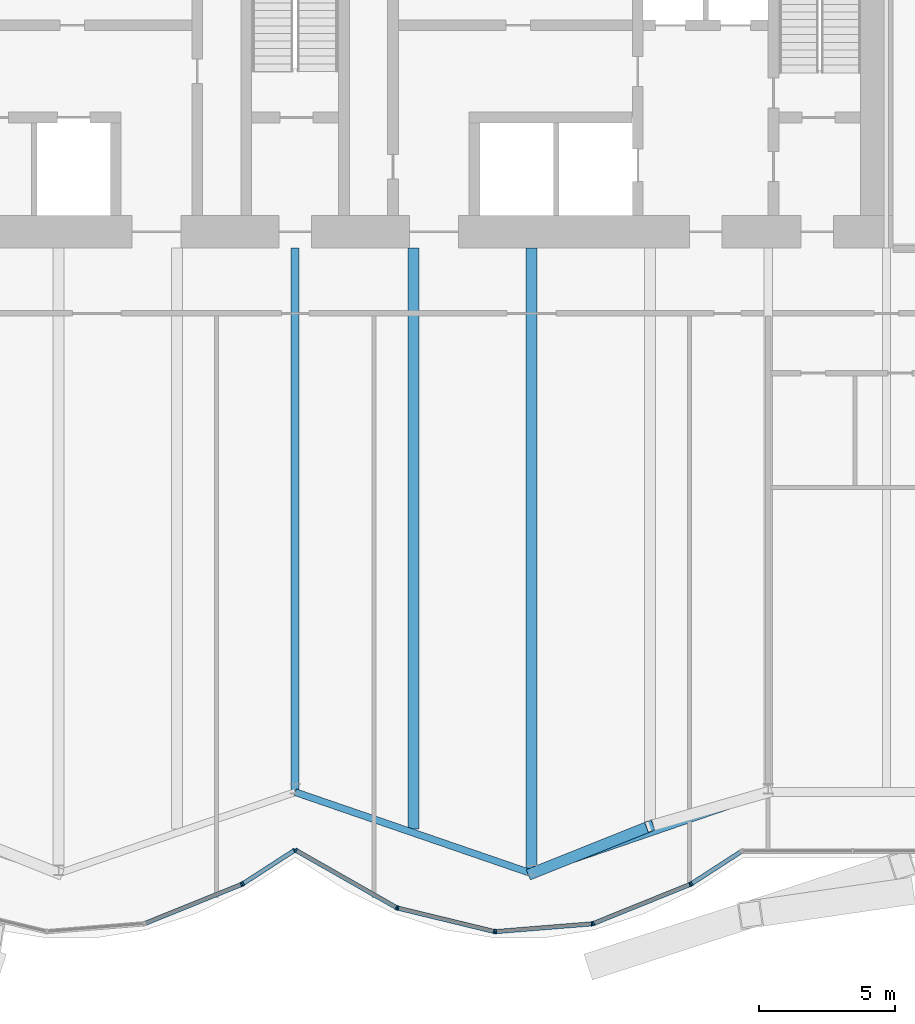
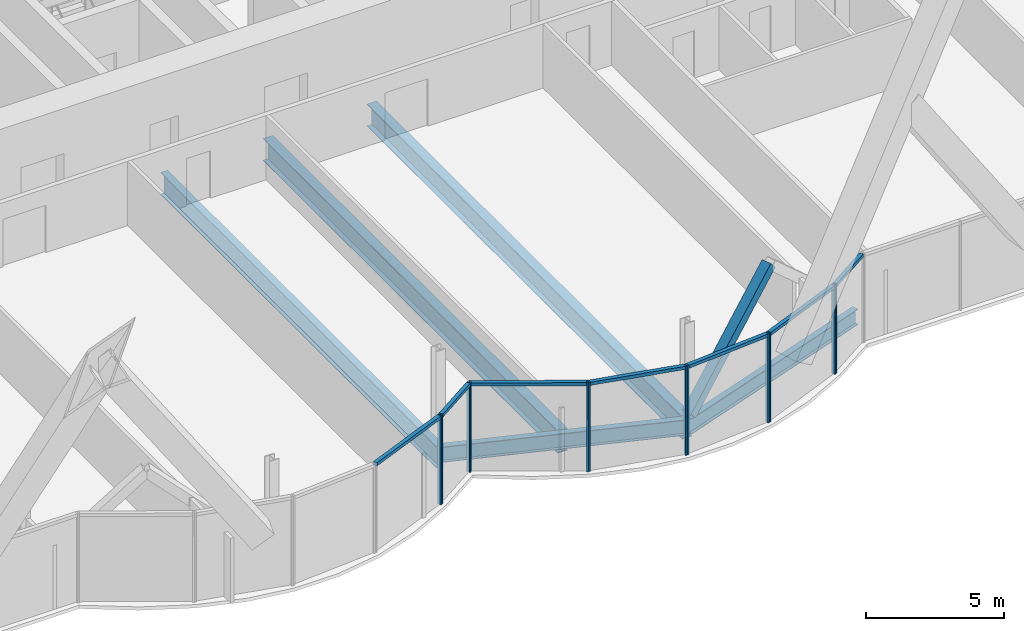
# One storey, part 9 of 23: 20 members, 5 beams, 2 elements without a shape of their own.
"""IFC4 building model written with IfcOpenShell, lengths in metres."""

from ifc_helpers import new_model, si_unit, direction, frame, origin, origin_2d, place, context, subcontext, project, spatial, rectangle, hollow_rectangle, i_section, extrude, material, material_profile, profile_set, type_object, element, aggregate, save


model = new_model("IFC4")

# Units and contexts
model_context = context("Model", 3, precision=1e-05, world=origin(), true_north=direction((0.0, 1.0)))
body_context = subcontext(model_context, "Body", "Model", "MODEL_VIEW")
ifc_project = project(units=[si_unit("LENGTHUNIT", "METRE"), si_unit("AREAUNIT", "SQUARE_METRE"), si_unit("VOLUMEUNIT", "CUBIC_METRE"), si_unit("PLANEANGLEUNIT", "RADIAN"), si_unit("MASSUNIT", "GRAM", prefix="KILO")], contexts=[model_context])

# Site, building, storey
site_placement = place(None, origin())
site = spatial("IfcSite", under=ifc_project, at=site_placement, CompositionType="ELEMENT")
building_placement = place(site_placement, origin())
building = spatial("IfcBuilding", under=site, at=building_placement, Name="Bicima Exchange Tower", CompositionType="ELEMENT")
storey_placement = place(building_placement, frame((0.0, 0.0, 152.699951171875)))
storey = spatial("IfcBuildingStorey", under=building, at=storey_placement, Name="L33", CompositionType="ELEMENT", Elevation=152.699951171875)

# Beams
ifc_material_1 = material(Name="Steel ASTM A992 Gr 50", Category="steel")
ifc_material_profile_1 = material_profile(ifc_material_1, i_section(OverallWidth=0.2998046875, OverallDepth=0.97021484375, WebThickness=0.01611328125, FlangeThickness=0.02099609375, at=origin_2d()))
ifc_profile_set_1 = profile_set([ifc_material_profile_1], Name="Steel ASTM A992 Gr 50")
beam_type_1 = type_object("IfcBeamType", Name="Floor beam W40x149", PredefinedType="JOIST", material=ifc_profile_set_1)
beam_1_placement = place(storey_placement, frame((0.0, -13.0, -0.635009765625), z_axis=(0.0, -1.0, 0.0), x_axis=(1.0, 0.0, 0.0)))
element("IfcBeam", 1, at=beam_1_placement, inside=storey, type_object=beam_type_1, Name="Floor beam", PredefinedType="JOIST", context=body_context, shape_type="SweptSolid", body=[
    extrude(i_section(OverallWidth=0.2998046875, OverallDepth=0.97021484375, WebThickness=0.01611328125, FlangeThickness=0.02099609375, at=origin_2d()), origin(), (0.0, 0.0, 1.0), 20.011962890625),
])
ifc_material_profile_2 = material_profile(ifc_material_1, i_section(OverallWidth=0.4013671875, OverallDepth=0.990478515625, WebThickness=0.0166015625, FlangeThickness=0.031005859375, at=origin_2d()))
ifc_profile_set_2 = profile_set([ifc_material_profile_2], Name="Steel ASTM A992 Gr 50")
beam_type_2 = type_object("IfcBeamType", Name="Floor beam W40x215", PredefinedType="JOIST", material=ifc_profile_set_2)
beam_2_placement = place(storey_placement, frame((4.35009765625, -13.0, -0.645263671875), z_axis=(0.0, -1.0, 0.0), x_axis=(1.0, 0.0, 0.0)))
element("IfcBeam", 2, at=beam_2_placement, inside=storey, type_object=beam_type_2, Name="Floor beam", PredefinedType="JOIST", context=body_context, shape_type="SweptSolid", body=[
    extrude(i_section(OverallWidth=0.4013671875, OverallDepth=0.990478515625, WebThickness=0.0166015625, FlangeThickness=0.031005859375, at=origin_2d()), origin(), (0.0, 0.0, 1.0), 21.371826171875),
])
beam_3_placement = place(storey_placement, frame((8.699951171875, -13.0, -0.645263671875), z_axis=(0.0, -1.0, 0.0), x_axis=(1.0, 0.0, 0.0)))
element("IfcBeam", 3, at=beam_3_placement, inside=storey, type_object=beam_type_2, Name="Floor beam", PredefinedType="JOIST", context=body_context, shape_type="SweptSolid", body=[
    extrude(i_section(OverallWidth=0.4013671875, OverallDepth=0.990478515625, WebThickness=0.0166015625, FlangeThickness=0.031005859375, at=origin_2d()), origin(), (0.0, 0.0, 1.0), 22.867431640625),
])
ifc_material_profile_3 = material_profile(ifc_material_1, i_section(OverallWidth=0.256591796875, OverallDepth=0.693359375, WebThickness=0.014404296875, FlangeThickness=0.023681640625, at=origin_2d()))
ifc_profile_set_3 = profile_set([ifc_material_profile_3], Name="Steel ASTM A992 Gr 50")
beam_type_3 = type_object("IfcBeamType", Name="Front girder W27x114", PredefinedType="BEAM", material=ifc_profile_set_3)
for number, where, z_axis, x_axis, name in (
    (4, (0.0, -33.011962890625, -0.49658203125), (0.945666456746, -0.325138359143, 0.0), (0.325138359143, 0.945666456746, 0.0), "Front girder"),
    (5, (8.699951171875, -36.003173828125, -0.49658203125), (0.945666456746, 0.325138359143, 0.0), (-0.325138359143, 0.945666456746, 0.0), "Front girder"),
):
    element("IfcBeam", number, at=place(storey_placement, frame(where, z_axis=z_axis, x_axis=x_axis)), inside=storey, type_object=beam_type_3, Name=name, PredefinedType="BEAM", context=body_context, shape_type="SweptSolid", body=[
        extrude(i_section(OverallWidth=0.256591796875, OverallDepth=0.693359375, WebThickness=0.014404296875, FlangeThickness=0.023681640625, at=origin_2d()), origin(), (0.0, 0.0, 1.0), 9.19970703125),
    ])

# Curtain wall, members
ifc_material_2 = material(Name="Anodised bronze aluminium", Category="aluminium")
curtain_wall_type = type_object("IfcCurtainWallType", Name="Front glass wall", PredefinedType="NOTDEFINED", material=ifc_material_2)
curtain_wall_1_placement = place(storey_placement, origin())
curtain_wall_1 = element("IfcCurtainWall", 6, at=curtain_wall_1_placement, inside=storey, type_object=curtain_wall_type, Name="Front glass wall L33 run 6", PredefinedType="NOTDEFINED")
ifc_material_profile_4 = material_profile(ifc_material_2, rectangle(XDim=0.159912109375, YDim=0.06005859375, at=origin_2d()))
ifc_profile_set_4 = profile_set([ifc_material_profile_4], Name="Anodised bronze aluminium")
member_type_1 = type_object("IfcMemberType", Name="Front glass wall mullion 60 x 160", PredefinedType="MULLION", material=ifc_profile_set_4)
member_1_placement = place(storey_placement, frame((-1.97412109375, -36.40771484375, 0.0), z_axis=(0.0, 0.0, 1.0), x_axis=(-0.374705304, 0.92714396679, 0.0)))
member_1 = element("IfcMember", 7, at=member_1_placement, type_object=member_type_1, Name="Front glass wall mullion 2", PredefinedType="MULLION", context=body_context, shape_type="SweptSolid", body=[
    extrude(rectangle(XDim=0.159912109375, YDim=0.06005859375, at=origin_2d()), origin(), (0.0, 0.0, 1.0), 3.949951171875),
])
member_2_placement = place(storey_placement, frame((-1.921142578125, -36.380126953125, 0.0), z_axis=(0.0, 0.0, 1.0), x_axis=(-0.542897457326, 0.839798994301, 0.0)))
member_2 = element("IfcMember", 8, at=member_2_placement, type_object=member_type_1, Name="Front glass wall mullion 1", PredefinedType="MULLION", context=body_context, shape_type="SweptSolid", body=[
    extrude(rectangle(XDim=0.159912109375, YDim=0.06005859375, at=origin_2d()), origin(), (0.0, 0.0, 1.0), 3.949951171875),
])
member_3_placement = place(storey_placement, frame((-0.025146484375, -35.154296875, 0.0), z_axis=(0.0, 0.0, 1.0), x_axis=(-0.542897457326, 0.839798994301, 0.0)))
member_3 = element("IfcMember", 9, at=member_3_placement, type_object=member_type_1, Name="Front glass wall mullion 2", PredefinedType="MULLION", context=body_context, shape_type="SweptSolid", body=[
    extrude(rectangle(XDim=0.159912109375, YDim=0.06005859375, at=origin_2d()), origin(), (0.0, 0.0, 1.0), 3.949951171875),
])

curtain_wall_2_placement = place(storey_placement, origin())
curtain_wall_2 = element("IfcCurtainWall", 10, at=curtain_wall_2_placement, inside=storey, type_object=curtain_wall_type, Name="Front glass wall L33 run 11", PredefinedType="NOTDEFINED")
member_4_placement = place(storey_placement, frame((0.026123046875, -35.153076171875, 0.0), z_axis=(0.0, 0.0, 1.0), x_axis=(0.494330311331, 0.869274147378, 0.0)))
member_4 = element("IfcMember", 11, at=member_4_placement, type_object=member_type_1, Name="Front glass wall mullion 1", PredefinedType="MULLION", context=body_context, shape_type="SweptSolid", body=[
    extrude(rectangle(XDim=0.159912109375, YDim=0.06005859375, at=origin_2d()), origin(), (0.0, 0.0, 1.0), 3.949951171875),
])
member_5_placement = place(storey_placement, frame((3.7265625, -37.25732421875, 0.0), z_axis=(0.0, 0.0, 1.0), x_axis=(0.494330311331, 0.869274147378, 0.0)))
member_5 = element("IfcMember", 12, at=member_5_placement, type_object=member_type_1, Name="Front glass wall mullion 2", PredefinedType="MULLION", context=body_context, shape_type="SweptSolid", body=[
    extrude(rectangle(XDim=0.159912109375, YDim=0.06005859375, at=origin_2d()), origin(), (0.0, 0.0, 1.0), 3.949951171875),
])
member_6_placement = place(storey_placement, frame((3.781982421875, -37.279296875, 0.0), z_axis=(0.0, 0.0, 1.0), x_axis=(0.235681529503, 0.971830343553, 0.0)))
member_6 = element("IfcMember", 13, at=member_6_placement, type_object=member_type_1, Name="Front glass wall mullion 1", PredefinedType="MULLION", context=body_context, shape_type="SweptSolid", body=[
    extrude(rectangle(XDim=0.159912109375, YDim=0.06005859375, at=origin_2d()), origin(), (0.0, 0.0, 1.0), 3.949951171875),
])
member_7_placement = place(storey_placement, frame((7.322509765625, -38.137939453125, 0.0), z_axis=(0.0, 0.0, 1.0), x_axis=(0.235681529503, 0.971830343553, 0.0)))
member_7 = element("IfcMember", 14, at=member_7_placement, type_object=member_type_1, Name="Front glass wall mullion 2", PredefinedType="MULLION", context=body_context, shape_type="SweptSolid", body=[
    extrude(rectangle(XDim=0.159912109375, YDim=0.06005859375, at=origin_2d()), origin(), (0.0, 0.0, 1.0), 3.949951171875),
])
member_8_placement = place(storey_placement, frame((7.381591796875, -38.142578125, 0.0), z_axis=(0.0, 0.0, 1.0), x_axis=(-0.080588612633, 0.99674744821, 0.0)))
member_8 = element("IfcMember", 15, at=member_8_placement, type_object=member_type_1, Name="Front glass wall mullion 1", PredefinedType="MULLION", context=body_context, shape_type="SweptSolid", body=[
    extrude(rectangle(XDim=0.159912109375, YDim=0.06005859375, at=origin_2d()), origin(), (0.0, 0.0, 1.0), 3.949951171875),
])
member_9_placement = place(storey_placement, frame((10.916015625, -37.856689453125, 0.0), z_axis=(0.0, 0.0, 1.0), x_axis=(-0.080588612633, 0.99674744821, 0.0)))
member_9 = element("IfcMember", 16, at=member_9_placement, type_object=member_type_1, Name="Front glass wall mullion 2", PredefinedType="MULLION", context=body_context, shape_type="SweptSolid", body=[
    extrude(rectangle(XDim=0.159912109375, YDim=0.06005859375, at=origin_2d()), origin(), (0.0, 0.0, 1.0), 3.949951171875),
])
member_10_placement = place(storey_placement, frame((10.973876953125, -37.84326171875, 0.0), z_axis=(0.0, 0.0, 1.0), x_axis=(-0.374705304, 0.92714396679, 0.0)))
member_10 = element("IfcMember", 17, at=member_10_placement, type_object=member_type_1, Name="Front glass wall mullion 1", PredefinedType="MULLION", context=body_context, shape_type="SweptSolid", body=[
    extrude(rectangle(XDim=0.159912109375, YDim=0.06005859375, at=origin_2d()), origin(), (0.0, 0.0, 1.0), 3.949951171875),
])
member_11_placement = place(storey_placement, frame((14.52587890625, -36.40771484375, 0.0), z_axis=(0.0, 0.0, 1.0), x_axis=(-0.374705304, 0.92714396679, 0.0)))
member_11 = element("IfcMember", 18, at=member_11_placement, type_object=member_type_1, Name="Front glass wall mullion 2", PredefinedType="MULLION", context=body_context, shape_type="SweptSolid", body=[
    extrude(rectangle(XDim=0.159912109375, YDim=0.06005859375, at=origin_2d()), origin(), (0.0, 0.0, 1.0), 3.949951171875),
])
member_12_placement = place(storey_placement, frame((14.578857421875, -36.380126953125, 0.0), z_axis=(0.0, 0.0, 1.0), x_axis=(-0.542909183079, 0.839791413941, 0.0)))
member_12 = element("IfcMember", 19, at=member_12_placement, type_object=member_type_1, Name="Front glass wall mullion 1", PredefinedType="MULLION", context=body_context, shape_type="SweptSolid", body=[
    extrude(rectangle(XDim=0.159912109375, YDim=0.06005859375, at=origin_2d()), origin(), (0.0, 0.0, 1.0), 3.949951171875),
])

# Member
ifc_material_profile_5 = material_profile(ifc_material_2, rectangle(XDim=0.159912109375, YDim=0.139892578125, at=origin_2d()))
ifc_profile_set_5 = profile_set([ifc_material_profile_5], Name="Anodised bronze aluminium")
member_type_2 = type_object("IfcMemberType", Name="Front glass wall transom 140 x 160", PredefinedType="USERDEFINED", material=ifc_profile_set_5)
member_13_placement = place(storey_placement, frame((-5.498291015625, -37.831787109375, 3.880126953125), z_axis=(0.927140215882, 0.374714584842, 0.0), x_axis=(-0.374714584842, 0.927140215882, 0.0)))
member_13 = element("IfcMember", 20, at=member_13_placement, type_object=member_type_2, Name="Front glass wall transom 1.1", ObjectType="TRANSOM", PredefinedType="USERDEFINED", context=body_context, shape_type="SweptSolid", body=[
    extrude(rectangle(XDim=0.159912109375, YDim=0.139892578125, at=origin_2d()), origin(), (0.0, 0.0, 1.0), 3.77099609375),
])

member_14_placement = place(storey_placement, frame((-1.89599609375, -36.36376953125, 3.880126953125), z_axis=(0.839811483481, 0.542878137536, 0.0), x_axis=(-0.542878137536, 0.839811483481, 0.0)))
member_14 = element("IfcMember", 21, at=member_14_placement, type_object=member_type_2, Name="Front glass wall transom 1.1", ObjectType="TRANSOM", PredefinedType="USERDEFINED", context=body_context, shape_type="SweptSolid", body=[
    extrude(rectangle(XDim=0.159912109375, YDim=0.139892578125, at=origin_2d()), origin(), (0.0, 0.0, 1.0), 2.19775390625),
])

aggregate(curtain_wall_1, [member_1, member_13, member_2, member_3, member_14])

member_15_placement = place(storey_placement, frame((0.05224609375, -35.167724609375, 3.880126953125), z_axis=(0.869265121745, -0.494346182466, 0.0), x_axis=(0.494346182466, 0.869265121745, 0.0)))
member_15 = element("IfcMember", 22, at=member_15_placement, type_object=member_type_2, Name="Front glass wall transom 1.1", ObjectType="TRANSOM", PredefinedType="USERDEFINED", context=body_context, shape_type="SweptSolid", body=[
    extrude(rectangle(XDim=0.159912109375, YDim=0.139892578125, at=origin_2d()), origin(), (0.0, 0.0, 1.0), 4.19677734375),
])

member_16_placement = place(storey_placement, frame((3.81103515625, -37.286376953125, 3.880126953125), z_axis=(0.971833557815, -0.235668275132, 0.0), x_axis=(0.235668275132, 0.971833557815, 0.0)))
member_16 = element("IfcMember", 23, at=member_16_placement, type_object=member_type_2, Name="Front glass wall transom 1.1", ObjectType="TRANSOM", PredefinedType="USERDEFINED", context=body_context, shape_type="SweptSolid", body=[
    extrude(rectangle(XDim=0.159912109375, YDim=0.139892578125, at=origin_2d()), origin(), (0.0, 0.0, 1.0), 3.583251953125),
])

member_17_placement = place(storey_placement, frame((7.41162109375, -38.14013671875, 3.880126953125), z_axis=(0.9967456465, 0.080610893699, 0.0), x_axis=(-0.080610893699, 0.9967456465, 0.0)))
member_17 = element("IfcMember", 24, at=member_17_placement, type_object=member_type_2, Name="Front glass wall transom 1.1", ObjectType="TRANSOM", PredefinedType="USERDEFINED", context=body_context, shape_type="SweptSolid", body=[
    extrude(rectangle(XDim=0.159912109375, YDim=0.139892578125, at=origin_2d()), origin(), (0.0, 0.0, 1.0), 3.48583984375),
])

member_18_placement = place(storey_placement, frame((11.001708984375, -37.831787109375, 3.880126953125), z_axis=(0.927140215882, 0.374714584842, 0.0), x_axis=(-0.374714584842, 0.927140215882, 0.0)))
member_18 = element("IfcMember", 25, at=member_18_placement, type_object=member_type_2, Name="Front glass wall transom 1.1", ObjectType="TRANSOM", PredefinedType="USERDEFINED", context=body_context, shape_type="SweptSolid", body=[
    extrude(rectangle(XDim=0.159912109375, YDim=0.139892578125, at=origin_2d()), origin(), (0.0, 0.0, 1.0), 3.77099609375),
])

member_19_placement = place(storey_placement, frame((14.60400390625, -36.36376953125, 3.880126953125), z_axis=(0.839792890287, 0.542906899407, 0.0), x_axis=(-0.542906899407, 0.839792890287, 0.0)))
member_19 = element("IfcMember", 26, at=member_19_placement, type_object=member_type_2, Name="Front glass wall transom 1.1", ObjectType="TRANSOM", PredefinedType="USERDEFINED", context=body_context, shape_type="SweptSolid", body=[
    extrude(rectangle(XDim=0.159912109375, YDim=0.139892578125, at=origin_2d()), origin(), (0.0, 0.0, 1.0), 2.11669921875),
])

aggregate(curtain_wall_2, [member_4, member_5, member_15, member_6, member_7, member_16, member_8, member_9, member_17, member_10, member_11, member_18, member_12, member_19])

ifc_material_3 = material(Name="Steel ASTM A572 Gr 50", Category="steel")
ifc_material_profile_6 = material_profile(ifc_material_3, hollow_rectangle(XDim=0.406494140625, YDim=0.406494140625, WallThickness=0.017822265625, at=origin_2d()))
ifc_profile_set_6 = profile_set([ifc_material_profile_6], Name="Steel ASTM A572 Gr 50")
member_type_3 = type_object("IfcMemberType", Name="Mega brace HSS16x16x3/4", PredefinedType="BRACE", material=ifc_profile_set_6)
member_20_placement = place(storey_placement, frame((8.699951171875, -36.003173828125, 0.0), z_axis=(0.698718538106, 0.279440358208, 0.65856320176), x_axis=(-0.3713367687, 0.928498252132, 0.0)))
element("IfcMember", 27, at=member_20_placement, inside=storey, type_object=member_type_3, Name="Mega brace front", PredefinedType="BRACE", context=body_context, shape_type="SweptSolid", body=[
    extrude(hollow_rectangle(XDim=0.406494140625, YDim=0.406494140625, WallThickness=0.017822265625, at=origin_2d()), origin(), (0.0, 0.0, 1.0), 6.225830078125),
])

save(model, "model.ifc")
